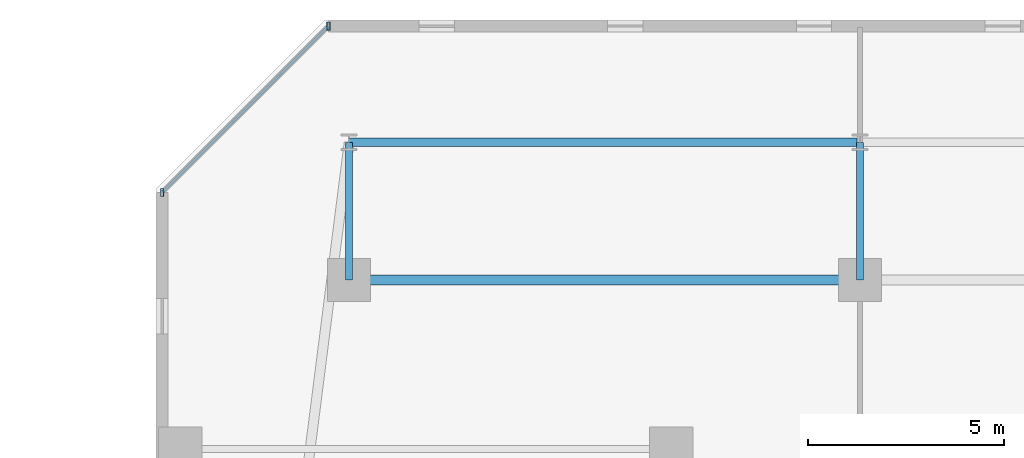
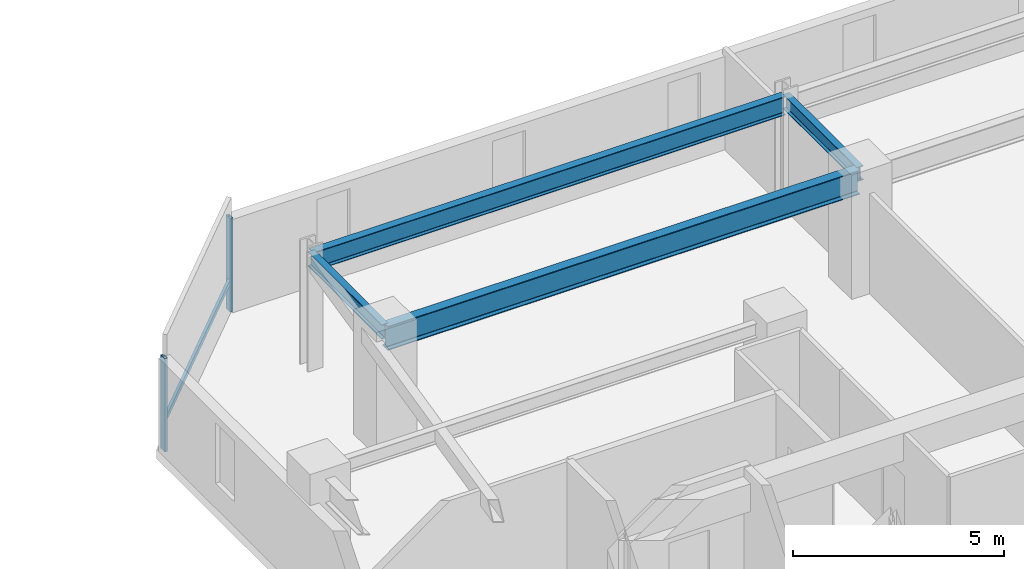
# One storey, part 14 of 30: 4 beams, 3 members, 1 element without a shape of its own.
"""IFC4 building model written with IfcOpenShell, lengths in metres."""

from ifc_helpers import new_model, si_unit, direction, frame, origin, origin_2d, place, context, subcontext, project, spatial, hollow_rectangle, i_section, extrude, material, material_profile, profile_set, type_object, element, aggregate, save


model = new_model("IFC4")

# Units and contexts
model_context = context("Model", 3, precision=1e-05, world=origin(), true_north=direction((0.0, 1.0)))
body_context = subcontext(model_context, "Body", "Model", "MODEL_VIEW")
ifc_project = project(units=[si_unit("LENGTHUNIT", "METRE"), si_unit("AREAUNIT", "SQUARE_METRE"), si_unit("VOLUMEUNIT", "CUBIC_METRE"), si_unit("PLANEANGLEUNIT", "RADIAN"), si_unit("MASSUNIT", "GRAM", prefix="KILO")], contexts=[model_context])

# Site, building, storey
site_placement = place(None, origin())
site = spatial("IfcSite", under=ifc_project, at=site_placement, CompositionType="ELEMENT")
building_placement = place(site_placement, origin())
building = spatial("IfcBuilding", under=site, at=building_placement, Name="Thornwick Lancets Civic Towers", CompositionType="ELEMENT")
storey_placement = place(building_placement, frame((0.0, 0.0, 149.10009765625)))
storey = spatial("IfcBuildingStorey", under=building, at=storey_placement, Name="L39", CompositionType="ELEMENT", Elevation=149.10009765625)

# Beams
ifc_material_1 = material(Name="Steel S355JR", Category="steel")
ifc_material_profile_1 = material_profile(ifc_material_1, i_section(OverallWidth=0.210693359375, OverallDepth=0.53955078125, WebThickness=0.01171875, FlangeThickness=0.018798828125, FilletRadius=0.0126953125, at=origin_2d()), Name="UKB 533x210x109")
ifc_profile_set_1 = profile_set([ifc_material_profile_1], Name="Steel S355JR")
beam_type_1 = type_object("IfcBeamType", Name="BM_EDGE_533_109", PredefinedType="SPANDREL", material=ifc_profile_set_1)
beam_1_placement = place(storey_placement, frame((88.419921875, 47.800048828125, 3.050048828125), z_axis=(-1.0, 0.0, 0.0), x_axis=(0.0, -1.0, 0.0)))
element("IfcBeam", 1, at=beam_1_placement, inside=storey, type_object=beam_type_1, Name="BM-EDGE-L39-B-S1-2", PredefinedType="SPANDREL", context=body_context, shape_type="SweptSolid", body=[
    extrude(i_section(OverallWidth=0.210693359375, OverallDepth=0.53955078125, WebThickness=0.01171875, FlangeThickness=0.018798828125, FilletRadius=0.0126953125, at=origin_2d()), origin(), (0.0, 0.0, 1.0), 12.919921875),
])
ifc_material_profile_2 = material_profile(ifc_material_1, i_section(OverallWidth=0.255859375, OverallDepth=0.69287109375, WebThickness=0.014404296875, FlangeThickness=0.023681640625, FilletRadius=0.01513671875, at=origin_2d()), Name="UKB 686x254x170")
ifc_profile_set_2 = profile_set([ifc_material_profile_2], Name="Steel S355JR")
beam_type_2 = type_object("IfcBeamType", Name="BM_GIRD_686_170", PredefinedType="BEAM", material=ifc_profile_set_2)
beam_2_placement = place(storey_placement, frame((88.419921875, 44.300048828125, 2.973388671875), z_axis=(-1.0, 0.0, 0.0), x_axis=(0.0, -1.0, 0.0)))
element("IfcBeam", 2, at=beam_2_placement, inside=storey, type_object=beam_type_2, Name="BM-SPINE-L39-B-4-5", PredefinedType="BEAM", context=body_context, shape_type="SweptSolid", body=[
    extrude(i_section(OverallWidth=0.255859375, OverallDepth=0.69287109375, WebThickness=0.014404296875, FlangeThickness=0.023681640625, FilletRadius=0.01513671875, at=origin_2d()), origin(), (0.0, 0.0, 1.0), 12.919921875),
])
ifc_material_profile_3 = material_profile(ifc_material_1, i_section(OverallWidth=0.179443359375, OverallDepth=0.412841796875, WebThickness=0.009521484375, FlangeThickness=0.01611328125, FilletRadius=0.01025390625, at=origin_2d()), Name="UKB 406x178x74")
ifc_profile_set_3 = profile_set([ifc_material_profile_3], Name="Steel S355JR")
beam_type_3 = type_object("IfcBeamType", Name="BM_JOIST_406_74", PredefinedType="JOIST", material=ifc_profile_set_3)
for number, where, z_axis, x_axis, name in (
    (3, (88.5, 44.300048828125, 3.113525390625), (0.0, 1.0, 0.0), (-1.0, 0.0, 0.0), "BM-RAD-L39-B05"),
    (4, (75.5, 44.300048828125, 3.113525390625), (0.0, 1.0, 0.0), (-1.0, 0.0, 0.0), "BM-RAD-L39-B06"),
):
    element("IfcBeam", number, at=place(storey_placement, frame(where, z_axis=z_axis, x_axis=x_axis)), inside=storey, type_object=beam_type_3, Name=name, PredefinedType="JOIST", context=body_context, shape_type="SweptSolid", body=[
        extrude(i_section(OverallWidth=0.179443359375, OverallDepth=0.412841796875, WebThickness=0.009521484375, FlangeThickness=0.01611328125, FilletRadius=0.01025390625, at=origin_2d()), origin(), (0.0, 0.0, 1.0), 3.5),
    ])

# Curtain wall, members
ifc_material_2 = material(Name="Mid-zone chamfered-corner unitised glass curtain wall", Category="glass")
curtain_wall_type = type_object("IfcCurtainWallType", Name="CW_SYS_04", PredefinedType="NOTDEFINED", material=ifc_material_2)
curtain_wall_placement = place(storey_placement, origin())
curtain_wall = element("IfcCurtainWall", 5, at=curtain_wall_placement, inside=storey, type_object=curtain_wall_type, Name="L39 Curtain Wall CW-L39-B-E5", PredefinedType="NOTDEFINED")
ifc_material_3 = material(Name="Thermally broken bronze aluminium S355", Category="steel")
ifc_material_profile_4 = material_profile(ifc_material_3, hollow_rectangle(XDim=0.080078125, YDim=0.199951171875, WallThickness=0.006103515625, at=origin_2d()), Name="RHS 200x80x6")
ifc_profile_set_4 = profile_set([ifc_material_profile_4], Name="Thermally broken bronze aluminium S355")
member_type_1 = type_object("IfcMemberType", Name="CW_MUL_200", PredefinedType="MULLION", material=ifc_profile_set_4)
member_1_placement = place(storey_placement, frame((74.97412109375, 50.75927734375, 0.0), z_axis=(0.0, 0.0, 1.0), x_axis=(1.0, 0.0, 0.0)))
member_1 = element("IfcMember", 6, at=member_1_placement, type_object=member_type_1, Name="CW-L39-B-E5 Mullion 0", PredefinedType="MULLION", context=body_context, shape_type="SweptSolid", body=[
    extrude(hollow_rectangle(XDim=0.080078125, YDim=0.199951171875, WallThickness=0.006103515625, at=origin_2d()), origin(), (0.0, 0.0, 1.0), 2.699951171875),
])
member_2_placement = place(storey_placement, frame((70.74072265625, 46.52587890625, 0.0), z_axis=(0.0, 0.0, 1.0), x_axis=(1.0, 0.0, 0.0)))
member_2 = element("IfcMember", 7, at=member_2_placement, type_object=member_type_1, Name="CW-L39-B-E5 Mullion 1", PredefinedType="MULLION", context=body_context, shape_type="SweptSolid", body=[
    extrude(hollow_rectangle(XDim=0.080078125, YDim=0.199951171875, WallThickness=0.006103515625, at=origin_2d()), origin(), (0.0, 0.0, 1.0), 2.699951171875),
])
ifc_material_profile_5 = material_profile(ifc_material_3, hollow_rectangle(XDim=0.074951171875, YDim=0.14990234375, WallThickness=0.0048828125, at=origin_2d()), Name="RHS 150x75x5")
ifc_profile_set_5 = profile_set([ifc_material_profile_5], Name="Thermally broken bronze aluminium S355")
member_type_2 = type_object("IfcMemberType", Name="CW_TRN_150", PredefinedType="USERDEFINED", material=ifc_profile_set_5)
member_3_placement = place(storey_placement, frame((74.9599609375, 50.7451171875, 0.849853515625), z_axis=(-0.707106781187, -0.707106781187, 0.0), x_axis=(0.707106781187, -0.707106781187, 0.0)))
member_3 = element("IfcMember", 8, at=member_3_placement, type_object=member_type_2, Name="CW-L39-B-E5 Transom 0", ObjectType="TRANSOM", PredefinedType="USERDEFINED", context=body_context, shape_type="SweptSolid", body=[
    extrude(hollow_rectangle(XDim=0.074951171875, YDim=0.14990234375, WallThickness=0.0048828125, at=origin_2d()), origin(), (0.0, 0.0, 1.0), 5.94677734375),
])
aggregate(curtain_wall, [member_1, member_2, member_3])

save(model, "model.ifc")
